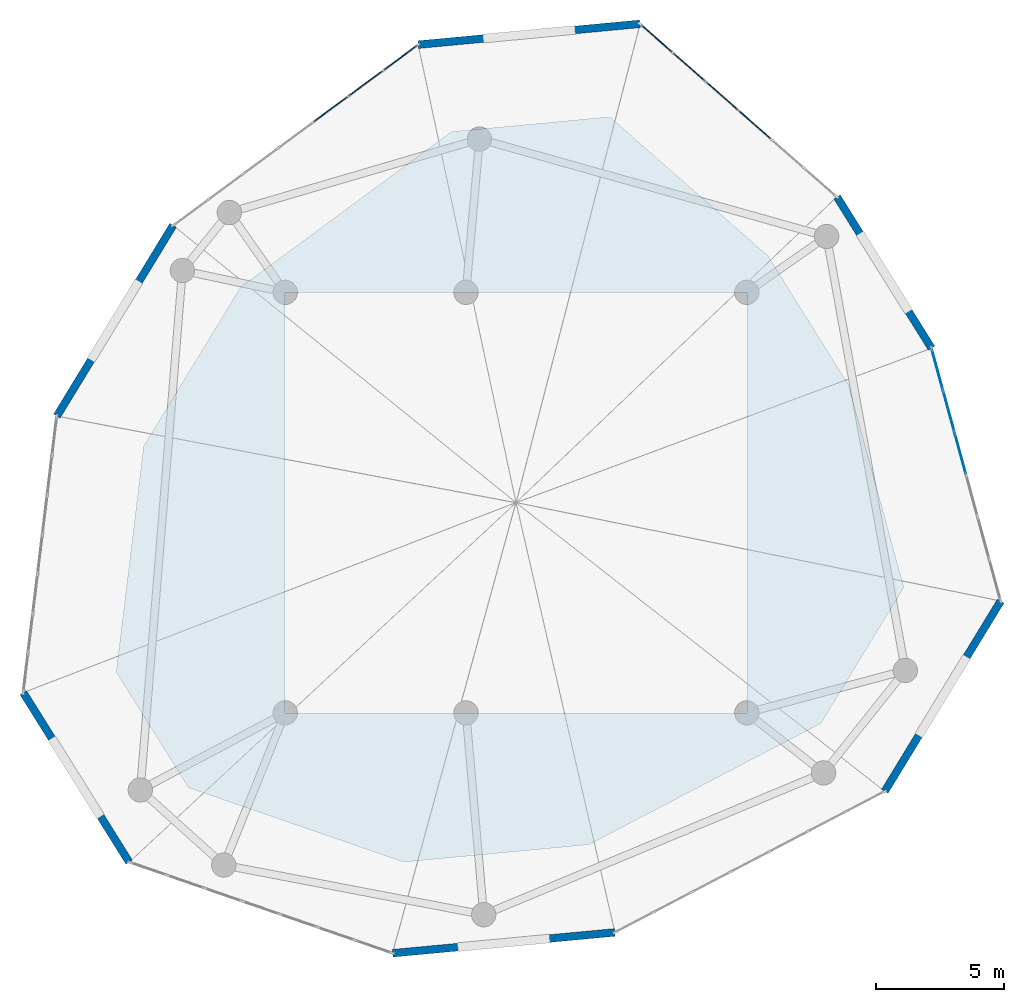
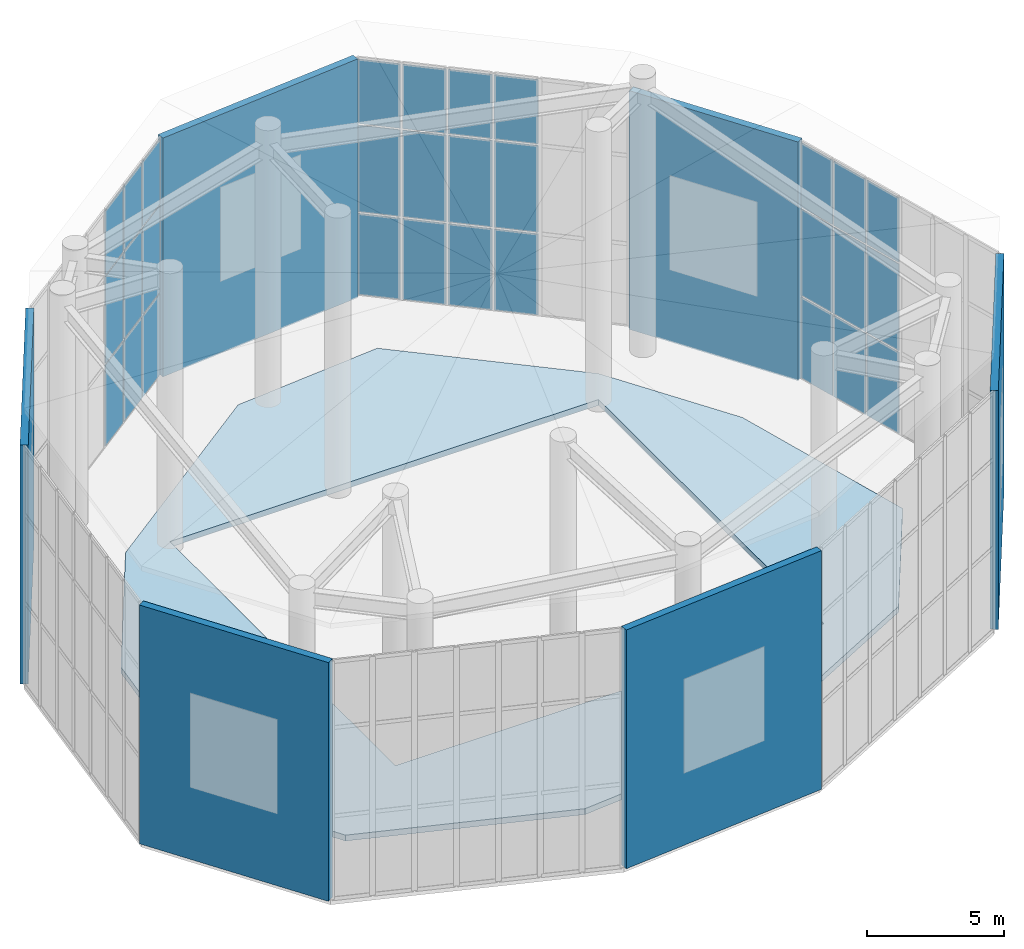
# One storey, part 7 of 8: 30 plates, 6 walls, 1 roof, 3 elements without a shape of their own.
"""IFC4 building model written with IfcOpenShell, lengths in metres."""

import ifcopenshell
import ifcopenshell.guid

model = None  # the IFC model being written
_history = None  # IfcOwnerHistory: only IFC2X3 demands one
_inside = {}  # id of a spatial element -> (the spatial element, [elements in it])
_under = {}  # id of a project, library or spatial element -> (it, [spatial elements below it])
_declared = {}  # id of a project -> (the project, [libraries it declares])
_typed = {}  # id of a type object -> (the type object, [elements of that type])
_made_of = {}  # id of a material, layer set ... -> (it, [elements and type objects made of it])


def new_model(schema):
    """Start an empty IFC model of exactly this schema.

    Asked for "IFC4X3", IfcOpenShell would pick the latest addendum, in which some entities
    have other attributes; the version numbers below select the first issue.
    IFC2X3 requires an IfcOwnerHistory on every rooted entity: one is made here for all.
    """
    global model, _history
    if schema == "IFC4X3":
        model = ifcopenshell.file(schema_version=(4, 3, 0, 0))
    else:
        model = ifcopenshell.file(schema=schema)
    _inside.clear()
    _under.clear()
    _declared.clear()
    _typed.clear()
    _made_of.clear()
    _history = None
    if model.schema == "IFC2X3":
        org = make("IfcOrganization", Name="unknown")
        user = make(
            "IfcPersonAndOrganization",
            ThePerson=make("IfcPerson", FamilyName="unknown"),
            TheOrganization=org,
        )
        app = make(
            "IfcApplication",
            ApplicationDeveloper=org,
            Version="unknown",
            ApplicationFullName="unknown",
            ApplicationIdentifier="unknown",
        )
        _history = make(
            "IfcOwnerHistory",
            OwningUser=user,
            OwningApplication=app,
            ChangeAction="ADDED",
            CreationDate=0,
        )
    return model


def make(cls, **values):
    """One entity of the class cls with the attributes given. An attribute that is None is left unset."""
    return model.create_entity(
        cls, **{name: value for name, value in values.items() if value is not None}
    )


def rooted(cls, **values):
    """An entity with a GlobalId (a new one), such as an element, a storey or a relation."""
    return make(cls, GlobalId=ifcopenshell.guid.new(), OwnerHistory=_history, **values)


def si_unit(unit_type, name, prefix=None):
    """IfcSIUnit, for example si_unit("LENGTHUNIT", "METRE", prefix="MILLI")."""
    return make("IfcSIUnit", UnitType=unit_type, Prefix=prefix, Name=name)


def assignment(units):
    """IfcUnitAssignment: the units of a project."""
    return None if units is None else make("IfcUnitAssignment", Units=units)


def point(xyz):
    """IfcCartesianPoint."""
    return None if xyz is None else make("IfcCartesianPoint", Coordinates=xyz)


def direction(xyz):
    """IfcDirection."""
    return None if xyz is None else make("IfcDirection", DirectionRatios=xyz)


def frame(location, z_axis=None, x_axis=None):
    """IfcAxis2Placement3D, a coordinate frame: its origin and axes. An axis left out is left unset."""
    return make(
        "IfcAxis2Placement3D",
        Location=point(location),
        Axis=direction(z_axis),
        RefDirection=direction(x_axis),
    )


def frame_2d(location, x_axis=None):
    """IfcAxis2Placement2D, a coordinate frame in the plane: its origin and x axis."""
    return make(
        "IfcAxis2Placement2D", Location=point(location), RefDirection=direction(x_axis)
    )


def origin():
    """The frame at (0, 0, 0) with its axes left unset."""
    return frame((0.0, 0.0, 0.0))


def origin_with_axes():
    """The frame at (0, 0, 0) with the z axis (0, 0, 1) and the x axis (1, 0, 0) written out."""
    return frame((0.0, 0.0, 0.0), z_axis=(0.0, 0.0, 1.0), x_axis=(1.0, 0.0, 0.0))


def origin_2d():
    """The frame at (0, 0) in the plane with its x axis left unset."""
    return frame_2d((0.0, 0.0))


def place(relative_to, where):
    """IfcLocalPlacement: puts the frame where relative to a parent placement (None: the world)."""
    return make(
        "IfcLocalPlacement", PlacementRelTo=relative_to, RelativePlacement=where
    )


def context(
    kind, dimensions, precision=None, world=None, true_north=None, identifier=None
):
    """IfcGeometricRepresentationContext, for example the 3D "Model" context."""
    return make(
        "IfcGeometricRepresentationContext",
        ContextIdentifier=identifier,
        ContextType=kind,
        CoordinateSpaceDimension=dimensions,
        Precision=precision,
        WorldCoordinateSystem=world,
        TrueNorth=true_north,
    )


def subcontext(parent, identifier, kind, view, scale=None):
    """IfcGeometricRepresentationSubContext, for example "Body" below "Model"."""
    return make(
        "IfcGeometricRepresentationSubContext",
        ContextIdentifier=identifier,
        ContextType=kind,
        ParentContext=parent,
        TargetScale=scale,
        TargetView=view,
    )


def project(units=None, contexts=None):
    """IfcProject with its units and contexts."""
    return rooted(
        "IfcProject",
        Name="project",
        RepresentationContexts=contexts,
        UnitsInContext=assignment(units),
    )


def spatial(cls, under=None, at=None, **own):
    """A site, building, storey or space (cls), placed at a placement, below another one or the project."""
    s = rooted(cls, ObjectPlacement=at, **own)
    if under is not None:
        _under.setdefault(under.id(), (under, []))[1].append(s)
    return s


def polyline(points):
    """IfcPolyline through the points."""
    return make("IfcPolyline", Points=[point(p) for p in points])


def profile(cls, at=None, kind="AREA", **sizes):
    """A parametric profile (cls). Its sizes go by their IFC names, for example OverallWidth=200.0."""
    return make(cls, ProfileType=kind, Position=at, **sizes)


def rectangle(**sizes):
    """IfcRectangleProfileDef."""
    return profile("IfcRectangleProfileDef", **sizes)


def outline(outer, holes=None, kind="AREA"):
    """IfcArbitraryClosedProfileDef: a profile drawn as a closed curve; with holes, ...WithVoids."""
    if holes is None:
        return make("IfcArbitraryClosedProfileDef", ProfileType=kind, OuterCurve=outer)
    return make(
        "IfcArbitraryProfileDefWithVoids",
        ProfileType=kind,
        OuterCurve=outer,
        InnerCurves=holes,
    )


def extrude(swept, where, along, depth):
    """IfcExtrudedAreaSolid: the profile swept, set in the frame where, extruded along a direction by depth."""
    return make(
        "IfcExtrudedAreaSolid",
        SweptArea=swept,
        Position=where,
        ExtrudedDirection=direction(along),
        Depth=depth,
    )


def shape(context_of_items, identifier, shape_type, items):
    """IfcShapeRepresentation: the items that make up one representation, for example the "Body"."""
    return make(
        "IfcShapeRepresentation",
        ContextOfItems=context_of_items,
        RepresentationIdentifier=identifier,
        RepresentationType=shape_type,
        Items=items,
    )


def source(mapping_origin, context_of_items, identifier, shape_type, items):
    """IfcRepresentationMap: a shape defined once, which mapped items show again and again."""
    return make(
        "IfcRepresentationMap",
        MappingOrigin=mapping_origin,
        MappedRepresentation=shape(context_of_items, identifier, shape_type, items),
    )


def transform(
    local_origin,
    x_axis=None,
    y_axis=None,
    z_axis=None,
    scale=None,
    scale2=None,
    scale3=None,
    uniform=True,
):
    """IfcCartesianTransformationOperator3D, or its non-uniform kind. x_axis, y_axis, z_axis: its Axis1, 2, 3."""
    if uniform:
        return make(
            "IfcCartesianTransformationOperator3D",
            Axis1=direction(x_axis),
            Axis2=direction(y_axis),
            LocalOrigin=point(local_origin),
            Scale=scale,
            Axis3=direction(z_axis),
        )
    return make(
        "IfcCartesianTransformationOperator3DnonUniform",
        Axis1=direction(x_axis),
        Axis2=direction(y_axis),
        LocalOrigin=point(local_origin),
        Scale=scale,
        Axis3=direction(z_axis),
        Scale2=scale2,
        Scale3=scale3,
    )


def mapped(mapping_source, mapping_target):
    """IfcMappedItem: shows the shape of a source again, moved by a transform."""
    return make(
        "IfcMappedItem", MappingSource=mapping_source, MappingTarget=mapping_target
    )


def material(Name=None, Category=None):
    """IfcMaterial."""
    return make("IfcMaterial", Name=Name, Category=Category)


def layer(
    of_material, thickness, ventilated=None, Name=None, Category=None, Priority=None
):
    """IfcMaterialLayer: one layer of a wall or slab, of a material (None: an air gap)."""
    return make(
        "IfcMaterialLayer",
        Material=of_material,
        LayerThickness=thickness,
        IsVentilated=ventilated,
        Name=Name,
        Category=Category,
        Priority=Priority,
    )


def layer_set(layers, Name=None):
    """IfcMaterialLayerSet."""
    return make("IfcMaterialLayerSet", MaterialLayers=layers, LayerSetName=Name)


def made_of(thing, what):
    """Note that an element or type object is made of a material, layer set ...; save() writes the relation."""
    if what is not None:
        _made_of.setdefault(what.id(), (what, []))[1].append(thing)
    return thing


def type_object(cls, material=None, **own):
    """A type object (cls), such as IfcWallType, which elements share."""
    return made_of(rooted(cls, **own), material)


def element(
    cls,
    number,
    at=None,
    inside=None,
    cuts=None,
    type_object=None,
    material=None,
    context=None,
    identifier="Body",
    shape_type=None,
    held_by="IfcProductDefinitionShape",
    body=None,
    shapes=None,
    **own,
):
    """One element of the class cls, such as IfcWall. Its Tag is "e" and its number.

    at: its placement. inside: the storey or other place that contains it. cuts: it is an
    opening in that element (IfcRelVoidsElement). A single representation is given by context,
    identifier, shape_type and body (its items); several are given by shapes. held_by: the class
    of the entity that holds the representations. save() writes the other relations.
    """
    e = rooted(cls, Tag="e%d" % number, ObjectPlacement=at, **own)
    if body is not None:
        shapes = [shape(context, identifier, shape_type, body)]
    if shapes is not None:
        e.Representation = make(held_by, Representations=shapes)
    if inside is not None:
        _inside.setdefault(inside.id(), (inside, []))[1].append(e)
    if cuts is not None:
        rooted(
            "IfcRelVoidsElement", RelatingBuildingElement=cuts, RelatedOpeningElement=e
        )
    if type_object is not None:
        _typed.setdefault(type_object.id(), (type_object, []))[1].append(e)
    return made_of(e, material)


def aggregate(whole, parts):
    """IfcRelAggregates: a whole, such as a stair, and the parts it consists of."""
    return rooted("IfcRelAggregates", RelatingObject=whole, RelatedObjects=parts)


def save(model, path):
    """Write the relations noted so far, then the file.

    IfcRelAggregates (storeys below a building ...), IfcRelContainedInSpatialStructure (elements
    in a storey), IfcRelDefinesByType, IfcRelAssociatesMaterial and IfcRelDeclares: one each for
    every whole, place, type object, material and project.
    """
    for whole, parts in _under.values():
        aggregate(whole, parts)
    for where, things in _inside.values():
        rooted(
            "IfcRelContainedInSpatialStructure",
            RelatedElements=things,
            RelatingStructure=where,
        )
    for kind, things in _typed.values():
        rooted("IfcRelDefinesByType", RelatedObjects=things, RelatingType=kind)
    for what, things in _made_of.values():
        rooted("IfcRelAssociatesMaterial", RelatedObjects=things, RelatingMaterial=what)
    for by, libraries in _declared.values():
        rooted("IfcRelDeclares", RelatingContext=by, RelatedDefinitions=libraries)
    model.write(path)


model = new_model("IFC4")

# Units and contexts
model_context = context("Model", 3, precision=1e-05, world=origin(), true_north=direction((0.0, 1.0)))
body_context = subcontext(model_context, "Body", "Model", "MODEL_VIEW")
ifc_project = project(units=[si_unit("LENGTHUNIT", "METRE"), si_unit("AREAUNIT", "SQUARE_METRE"), si_unit("VOLUMEUNIT", "CUBIC_METRE"), si_unit("PLANEANGLEUNIT", "RADIAN"), si_unit("MASSUNIT", "GRAM", prefix="KILO")], contexts=[model_context])

# Site, building, storey
site_placement = place(None, origin())
site = spatial("IfcSite", under=ifc_project, at=site_placement, CompositionType="ELEMENT")
building_placement = place(site_placement, origin())
building = spatial("IfcBuilding", under=site, at=building_placement, Name="Karkom Vertical University and Central Library", CompositionType="ELEMENT")
storey_placement = place(building_placement, frame((0.0, 0.0, 290.0)))
storey = spatial("IfcBuildingStorey", under=building, at=storey_placement, Name="R82", CompositionType="ELEMENT", Elevation=290.0)

# Curtain wall, plates
ifc_material_1 = material(Name="Aluminium curtain-wall framing and low-E IGU", Category="aluminium")
ifc_layer_1 = layer(ifc_material_1, 0.199951171875)
ifc_layer_set_1 = layer_set([ifc_layer_1], Name="Aluminium curtain-wall framing and low-E IGU")
curtain_wall_type = type_object("IfcCurtainWallType", Name="ENV-CW-6", PredefinedType="USERDEFINED", material=ifc_layer_set_1)
curtain_wall_1_placement = place(storey_placement, origin())
curtain_wall_1 = element("IfcCurtainWall", 1, at=curtain_wall_1_placement, inside=storey, type_object=curtain_wall_type, Name="Roof Level 82 CW-6 Curtain Wall R82-CW6-10", ObjectType="UNITISED GLAZING", PredefinedType="USERDEFINED")
ifc_material_2 = material(Name="Solar-control low-E double glazing 36mm", Category="glass")
ifc_layer_2 = layer(ifc_material_2, 0.035888671875)
ifc_layer_set_2 = layer_set([ifc_layer_2], Name="Solar-control low-E double glazing 36mm")
plate_type = type_object("IfcPlateType", Name="ENV-PLT-GLZ-36", PredefinedType="CURTAIN_PANEL", material=ifc_layer_set_2)
shared_shape_1 = source(origin_with_axes(), body_context, "Body", "SweptSolid", [
    extrude(rectangle(XDim=1.584228515625, YDim=0.035888671875, at=origin_2d()), origin(), (0.0, 0.0, 1.0), 3.597412109375),
])
plate_1_placement = place(storey_placement, frame((23.987060546875, 43.845703125, 0.0751953125), z_axis=(0.0, 0.0, 1.0), x_axis=(-0.804886710609, -0.593428498713, 0.0)))
plate_1 = element("IfcPlate", 2, at=plate_1_placement, type_object=plate_type, Name="CW-6 panel 1.1", PredefinedType="CURTAIN_PANEL", context=body_context, shape_type="MappedRepresentation", body=[
    mapped(shared_shape_1, transform((0.0, 0.0, 0.0), scale=1.0)),
])
shared_shape_2 = source(origin_with_axes(), body_context, "Body", "SweptSolid", [
    extrude(rectangle(XDim=1.584228515625, YDim=0.035888671875, at=origin_2d()), origin(), (0.0, 0.0, 1.0), 3.846923828125),
])
plate_2_placement = place(storey_placement, frame((23.987060546875, 43.845703125, 3.74755859375), z_axis=(0.0, 0.0, 1.0), x_axis=(-0.804886710609, -0.593428498713, 0.0)))
plate_2 = element("IfcPlate", 3, at=plate_2_placement, type_object=plate_type, Name="CW-6 panel 1.2", PredefinedType="CURTAIN_PANEL", context=body_context, shape_type="MappedRepresentation", body=[
    mapped(shared_shape_2, transform((0.0, 0.0, 0.0), scale=1.0)),
])
shared_shape_3 = source(origin_with_axes(), body_context, "Body", "SweptSolid", [
    extrude(rectangle(XDim=1.584228515625, YDim=0.035888671875, at=origin_2d()), origin(), (0.0, 0.0, 1.0), 2.85546875),
])
plate_3_placement = place(storey_placement, frame((23.987060546875, 43.845703125, 7.66943359375), z_axis=(0.0, 0.0, 1.0), x_axis=(-0.804886710609, -0.593428498713, 0.0)))
plate_3 = element("IfcPlate", 4, at=plate_3_placement, type_object=plate_type, Name="CW-6 panel 1.3", PredefinedType="CURTAIN_PANEL", context=body_context, shape_type="MappedRepresentation", body=[
    mapped(shared_shape_3, transform((0.0, 0.0, 0.0), scale=1.0)),
])
shared_shape_4 = source(origin_with_axes(), body_context, "Body", "SweptSolid", [
    extrude(rectangle(XDim=1.62158203125, YDim=0.035888671875, at=origin_2d()), origin(), (0.0, 0.0, 1.0), 3.597412109375),
])
plate_4_placement = place(storey_placement, frame((22.636474609375, 42.849853515625, 0.0751953125), z_axis=(0.0, 0.0, 1.0), x_axis=(-0.804886710609, -0.593428498713, 0.0)))
plate_4 = element("IfcPlate", 5, at=plate_4_placement, type_object=plate_type, Name="CW-6 panel 2.1", PredefinedType="CURTAIN_PANEL", context=body_context, shape_type="MappedRepresentation", body=[
    mapped(shared_shape_4, transform((0.0, 0.0, 0.0), scale=1.0)),
])
plate_5_placement = place(storey_placement, frame((21.270751953125, 41.843017578125, 0.0751953125), z_axis=(0.0, 0.0, 1.0), x_axis=(-0.804886710609, -0.593428498713, 0.0)))
plate_5 = element("IfcPlate", 6, at=plate_5_placement, type_object=plate_type, Name="CW-6 panel 3.1", PredefinedType="CURTAIN_PANEL", context=body_context, shape_type="MappedRepresentation", body=[
    mapped(shared_shape_4, transform((0.0, 0.0, 0.0), scale=1.0)),
])
shared_shape_5 = source(origin_with_axes(), body_context, "Body", "SweptSolid", [
    extrude(rectangle(XDim=1.62158203125, YDim=0.035888671875, at=origin_2d()), origin(), (0.0, 0.0, 1.0), 3.846923828125),
])
plate_6_placement = place(storey_placement, frame((22.636474609375, 42.849853515625, 3.74755859375), z_axis=(0.0, 0.0, 1.0), x_axis=(-0.804886710609, -0.593428498713, 0.0)))
plate_6 = element("IfcPlate", 7, at=plate_6_placement, type_object=plate_type, Name="CW-6 panel 2.2", PredefinedType="CURTAIN_PANEL", context=body_context, shape_type="MappedRepresentation", body=[
    mapped(shared_shape_5, transform((0.0, 0.0, 0.0), scale=1.0)),
])
plate_7_placement = place(storey_placement, frame((21.270751953125, 41.843017578125, 3.74755859375), z_axis=(0.0, 0.0, 1.0), x_axis=(-0.804886710609, -0.593428498713, 0.0)))
plate_7 = element("IfcPlate", 8, at=plate_7_placement, type_object=plate_type, Name="CW-6 panel 3.2", PredefinedType="CURTAIN_PANEL", context=body_context, shape_type="MappedRepresentation", body=[
    mapped(shared_shape_5, transform((0.0, 0.0, 0.0), scale=1.0)),
])
shared_shape_6 = source(origin_with_axes(), body_context, "Body", "SweptSolid", [
    extrude(rectangle(XDim=1.62158203125, YDim=0.035888671875, at=origin_2d()), origin(), (0.0, 0.0, 1.0), 2.85546875),
])
plate_8_placement = place(storey_placement, frame((22.636474609375, 42.849853515625, 7.66943359375), z_axis=(0.0, 0.0, 1.0), x_axis=(-0.804886710609, -0.593428498713, 0.0)))
plate_8 = element("IfcPlate", 9, at=plate_8_placement, type_object=plate_type, Name="CW-6 panel 2.3", PredefinedType="CURTAIN_PANEL", context=body_context, shape_type="MappedRepresentation", body=[
    mapped(shared_shape_6, transform((0.0, 0.0, 0.0), scale=1.0)),
])
plate_9_placement = place(storey_placement, frame((21.270751953125, 41.843017578125, 7.66943359375), z_axis=(0.0, 0.0, 1.0), x_axis=(-0.804886710609, -0.593428498713, 0.0)))
plate_9 = element("IfcPlate", 10, at=plate_9_placement, type_object=plate_type, Name="CW-6 panel 3.3", PredefinedType="CURTAIN_PANEL", context=body_context, shape_type="MappedRepresentation", body=[
    mapped(shared_shape_6, transform((0.0, 0.0, 0.0), scale=1.0)),
])
aggregate(curtain_wall_1, [plate_1, plate_2, plate_3, plate_4, plate_6, plate_8, plate_5, plate_7, plate_9])

# Curtain wall, plate
curtain_wall_2_placement = place(storey_placement, origin())
curtain_wall_2 = element("IfcCurtainWall", 11, at=curtain_wall_2_placement, inside=storey, type_object=curtain_wall_type, Name="Roof Level 82 CW-6 Curtain Wall R82-CW6-06", ObjectType="UNITISED GLAZING", PredefinedType="USERDEFINED")
shared_shape_7 = source(origin_with_axes(), body_context, "Body", "SweptSolid", [
    extrude(rectangle(XDim=1.591552734375, YDim=0.035888671875, at=origin_2d()), origin(), (0.0, 0.0, 1.0), 3.597412109375),
])
plate_10_placement = place(storey_placement, frame((44.93359375, 31.68359375, 0.0751953125), z_axis=(0.0, 0.0, 1.0), x_axis=(-0.263790970238, 0.964579869177, 0.0)))
plate_10 = element("IfcPlate", 12, at=plate_10_placement, type_object=plate_type, Name="CW-6 panel 6.1", PredefinedType="CURTAIN_PANEL", context=body_context, shape_type="MappedRepresentation", body=[
    mapped(shared_shape_7, transform((0.0, 0.0, 0.0), scale=1.0)),
])

curtain_wall_3_placement = place(storey_placement, origin())
curtain_wall_3 = element("IfcCurtainWall", 13, at=curtain_wall_3_placement, inside=storey, type_object=curtain_wall_type, Name="Roof Level 82 CW-6 Curtain Wall R82-CW6-08", ObjectType="UNITISED GLAZING", PredefinedType="USERDEFINED")
plate_11_placement = place(storey_placement, frame((33.989501953125, 44.596435546875, 0.0751953125), z_axis=(0.0, 0.0, 1.0), x_axis=(-0.75132182602, 0.659935992158, 0.0)))
plate_11 = element("IfcPlate", 14, at=plate_11_placement, type_object=plate_type, Name="CW-6 panel 6.1", PredefinedType="CURTAIN_PANEL", context=body_context, shape_type="MappedRepresentation", body=[
    mapped(shared_shape_7, transform((0.0, 0.0, 0.0), scale=1.0)),
])

# Plate
shared_shape_8 = source(origin_with_axes(), body_context, "Body", "SweptSolid", [
    extrude(rectangle(XDim=1.591552734375, YDim=0.035888671875, at=origin_2d()), origin(), (0.0, 0.0, 1.0), 3.846923828125),
])
plate_12_placement = place(storey_placement, frame((44.93359375, 31.68359375, 3.74755859375), z_axis=(0.0, 0.0, 1.0), x_axis=(-0.263790970238, 0.964579869177, 0.0)))
plate_12 = element("IfcPlate", 15, at=plate_12_placement, type_object=plate_type, Name="CW-6 panel 6.2", PredefinedType="CURTAIN_PANEL", context=body_context, shape_type="MappedRepresentation", body=[
    mapped(shared_shape_8, transform((0.0, 0.0, 0.0), scale=1.0)),
])

plate_13_placement = place(storey_placement, frame((33.989501953125, 44.596435546875, 3.74755859375), z_axis=(0.0, 0.0, 1.0), x_axis=(-0.75132182602, 0.659935992158, 0.0)))
plate_13 = element("IfcPlate", 16, at=plate_13_placement, type_object=plate_type, Name="CW-6 panel 6.2", PredefinedType="CURTAIN_PANEL", context=body_context, shape_type="MappedRepresentation", body=[
    mapped(shared_shape_8, transform((0.0, 0.0, 0.0), scale=1.0)),
])

shared_shape_9 = source(origin_with_axes(), body_context, "Body", "SweptSolid", [
    extrude(rectangle(XDim=1.591552734375, YDim=0.035888671875, at=origin_2d()), origin(), (0.0, 0.0, 1.0), 2.85546875),
])
plate_14_placement = place(storey_placement, frame((44.93359375, 31.68359375, 7.66943359375), z_axis=(0.0, 0.0, 1.0), x_axis=(-0.263790970238, 0.964579869177, 0.0)))
plate_14 = element("IfcPlate", 17, at=plate_14_placement, type_object=plate_type, Name="CW-6 panel 6.3", PredefinedType="CURTAIN_PANEL", context=body_context, shape_type="MappedRepresentation", body=[
    mapped(shared_shape_9, transform((0.0, 0.0, 0.0), scale=1.0)),
])

plate_15_placement = place(storey_placement, frame((33.989501953125, 44.596435546875, 7.66943359375), z_axis=(0.0, 0.0, 1.0), x_axis=(-0.75132182602, 0.659935992158, 0.0)))
plate_15 = element("IfcPlate", 18, at=plate_15_placement, type_object=plate_type, Name="CW-6 panel 6.3", PredefinedType="CURTAIN_PANEL", context=body_context, shape_type="MappedRepresentation", body=[
    mapped(shared_shape_9, transform((0.0, 0.0, 0.0), scale=1.0)),
])

shared_shape_10 = source(origin_with_axes(), body_context, "Body", "SweptSolid", [
    extrude(rectangle(XDim=1.629150390625, YDim=0.035888671875, at=origin_2d()), origin(), (0.0, 0.0, 1.0), 3.597412109375),
])
plate_16_placement = place(storey_placement, frame((45.827880859375, 28.4140625, 0.0751953125), z_axis=(0.0, 0.0, 1.0), x_axis=(-0.263790970238, 0.964579869177, 0.0)))
plate_16 = element("IfcPlate", 19, at=plate_16_placement, type_object=plate_type, Name="CW-6 panel 4.1", PredefinedType="CURTAIN_PANEL", context=body_context, shape_type="MappedRepresentation", body=[
    mapped(shared_shape_10, transform((0.0, 0.0, 0.0), scale=1.0)),
])

plate_17_placement = place(storey_placement, frame((45.37841796875, 30.057861328125, 0.0751953125), z_axis=(0.0, 0.0, 1.0), x_axis=(-0.263790970238, 0.964579869177, 0.0)))
plate_17 = element("IfcPlate", 20, at=plate_17_placement, type_object=plate_type, Name="CW-6 panel 5.1", PredefinedType="CURTAIN_PANEL", context=body_context, shape_type="MappedRepresentation", body=[
    mapped(shared_shape_10, transform((0.0, 0.0, 0.0), scale=1.0)),
])

plate_18_placement = place(storey_placement, frame((37.81640625, 41.235107421875, 0.0751953125), z_axis=(0.0, 0.0, 1.0), x_axis=(-0.75132182602, 0.659935992158, 0.0)))
plate_18 = element("IfcPlate", 21, at=plate_18_placement, type_object=plate_type, Name="CW-6 panel 3.1", PredefinedType="CURTAIN_PANEL", context=body_context, shape_type="MappedRepresentation", body=[
    mapped(shared_shape_10, transform((0.0, 0.0, 0.0), scale=1.0)),
])

plate_19_placement = place(storey_placement, frame((36.5361328125, 42.359619140625, 0.0751953125), z_axis=(0.0, 0.0, 1.0), x_axis=(-0.75132182602, 0.659935992158, 0.0)))
plate_19 = element("IfcPlate", 22, at=plate_19_placement, type_object=plate_type, Name="CW-6 panel 4.1", PredefinedType="CURTAIN_PANEL", context=body_context, shape_type="MappedRepresentation", body=[
    mapped(shared_shape_10, transform((0.0, 0.0, 0.0), scale=1.0)),
])

plate_20_placement = place(storey_placement, frame((35.255615234375, 43.484375, 0.0751953125), z_axis=(0.0, 0.0, 1.0), x_axis=(-0.75132182602, 0.659935992158, 0.0)))
plate_20 = element("IfcPlate", 23, at=plate_20_placement, type_object=plate_type, Name="CW-6 panel 5.1", PredefinedType="CURTAIN_PANEL", context=body_context, shape_type="MappedRepresentation", body=[
    mapped(shared_shape_10, transform((0.0, 0.0, 0.0), scale=1.0)),
])

shared_shape_11 = source(origin_with_axes(), body_context, "Body", "SweptSolid", [
    extrude(rectangle(XDim=1.629150390625, YDim=0.035888671875, at=origin_2d()), origin(), (0.0, 0.0, 1.0), 3.846923828125),
])
plate_21_placement = place(storey_placement, frame((45.827880859375, 28.4140625, 3.74755859375), z_axis=(0.0, 0.0, 1.0), x_axis=(-0.263790970238, 0.964579869177, 0.0)))
plate_21 = element("IfcPlate", 24, at=plate_21_placement, type_object=plate_type, Name="CW-6 panel 4.2", PredefinedType="CURTAIN_PANEL", context=body_context, shape_type="MappedRepresentation", body=[
    mapped(shared_shape_11, transform((0.0, 0.0, 0.0), scale=1.0)),
])

plate_22_placement = place(storey_placement, frame((45.37841796875, 30.057861328125, 3.74755859375), z_axis=(0.0, 0.0, 1.0), x_axis=(-0.263790970238, 0.964579869177, 0.0)))
plate_22 = element("IfcPlate", 25, at=plate_22_placement, type_object=plate_type, Name="CW-6 panel 5.2", PredefinedType="CURTAIN_PANEL", context=body_context, shape_type="MappedRepresentation", body=[
    mapped(shared_shape_11, transform((0.0, 0.0, 0.0), scale=1.0)),
])

plate_23_placement = place(storey_placement, frame((37.81640625, 41.235107421875, 3.74755859375), z_axis=(0.0, 0.0, 1.0), x_axis=(-0.75132182602, 0.659935992158, 0.0)))
plate_23 = element("IfcPlate", 26, at=plate_23_placement, type_object=plate_type, Name="CW-6 panel 3.2", PredefinedType="CURTAIN_PANEL", context=body_context, shape_type="MappedRepresentation", body=[
    mapped(shared_shape_11, transform((0.0, 0.0, 0.0), scale=1.0)),
])

plate_24_placement = place(storey_placement, frame((36.5361328125, 42.359619140625, 3.74755859375), z_axis=(0.0, 0.0, 1.0), x_axis=(-0.75132182602, 0.659935992158, 0.0)))
plate_24 = element("IfcPlate", 27, at=plate_24_placement, type_object=plate_type, Name="CW-6 panel 4.2", PredefinedType="CURTAIN_PANEL", context=body_context, shape_type="MappedRepresentation", body=[
    mapped(shared_shape_11, transform((0.0, 0.0, 0.0), scale=1.0)),
])

plate_25_placement = place(storey_placement, frame((35.255615234375, 43.484375, 3.74755859375), z_axis=(0.0, 0.0, 1.0), x_axis=(-0.75132182602, 0.659935992158, 0.0)))
plate_25 = element("IfcPlate", 28, at=plate_25_placement, type_object=plate_type, Name="CW-6 panel 5.2", PredefinedType="CURTAIN_PANEL", context=body_context, shape_type="MappedRepresentation", body=[
    mapped(shared_shape_11, transform((0.0, 0.0, 0.0), scale=1.0)),
])

shared_shape_12 = source(origin_with_axes(), body_context, "Body", "SweptSolid", [
    extrude(rectangle(XDim=1.629150390625, YDim=0.035888671875, at=origin_2d()), origin(), (0.0, 0.0, 1.0), 2.85546875),
])
plate_26_placement = place(storey_placement, frame((45.827880859375, 28.4140625, 7.66943359375), z_axis=(0.0, 0.0, 1.0), x_axis=(-0.263790970238, 0.964579869177, 0.0)))
plate_26 = element("IfcPlate", 29, at=plate_26_placement, type_object=plate_type, Name="CW-6 panel 4.3", PredefinedType="CURTAIN_PANEL", context=body_context, shape_type="MappedRepresentation", body=[
    mapped(shared_shape_12, transform((0.0, 0.0, 0.0), scale=1.0)),
])

plate_27_placement = place(storey_placement, frame((45.37841796875, 30.057861328125, 7.66943359375), z_axis=(0.0, 0.0, 1.0), x_axis=(-0.263790970238, 0.964579869177, 0.0)))
plate_27 = element("IfcPlate", 30, at=plate_27_placement, type_object=plate_type, Name="CW-6 panel 5.3", PredefinedType="CURTAIN_PANEL", context=body_context, shape_type="MappedRepresentation", body=[
    mapped(shared_shape_12, transform((0.0, 0.0, 0.0), scale=1.0)),
])

aggregate(curtain_wall_2, [plate_16, plate_21, plate_26, plate_17, plate_22, plate_27, plate_10, plate_12, plate_14])

plate_28_placement = place(storey_placement, frame((37.81640625, 41.235107421875, 7.66943359375), z_axis=(0.0, 0.0, 1.0), x_axis=(-0.75132182602, 0.659935992158, 0.0)))
plate_28 = element("IfcPlate", 31, at=plate_28_placement, type_object=plate_type, Name="CW-6 panel 3.3", PredefinedType="CURTAIN_PANEL", context=body_context, shape_type="MappedRepresentation", body=[
    mapped(shared_shape_12, transform((0.0, 0.0, 0.0), scale=1.0)),
])

plate_29_placement = place(storey_placement, frame((36.5361328125, 42.359619140625, 7.66943359375), z_axis=(0.0, 0.0, 1.0), x_axis=(-0.75132182602, 0.659935992158, 0.0)))
plate_29 = element("IfcPlate", 32, at=plate_29_placement, type_object=plate_type, Name="CW-6 panel 4.3", PredefinedType="CURTAIN_PANEL", context=body_context, shape_type="MappedRepresentation", body=[
    mapped(shared_shape_12, transform((0.0, 0.0, 0.0), scale=1.0)),
])

plate_30_placement = place(storey_placement, frame((35.255615234375, 43.484375, 7.66943359375), z_axis=(0.0, 0.0, 1.0), x_axis=(-0.75132182602, 0.659935992158, 0.0)))
plate_30 = element("IfcPlate", 33, at=plate_30_placement, type_object=plate_type, Name="CW-6 panel 5.3", PredefinedType="CURTAIN_PANEL", context=body_context, shape_type="MappedRepresentation", body=[
    mapped(shared_shape_12, transform((0.0, 0.0, 0.0), scale=1.0)),
])

aggregate(curtain_wall_3, [plate_18, plate_23, plate_28, plate_19, plate_24, plate_29, plate_20, plate_25, plate_30, plate_11, plate_13, plate_15])

# Walls
ifc_material_3 = material(Name="Brick-faced precast concrete C45/55", Category="masonry")
ifc_layer_3 = layer(ifc_material_3, 0.300048828125)
ifc_layer_set_3 = layer_set([ifc_layer_3], Name="Brick-faced precast concrete C45/55")
wall_type = type_object("IfcWallType", Name="ENV-WL-CRN-300", PredefinedType="SOLIDWALL", material=ifc_layer_set_3)
wall_1_placement = place(storey_placement, frame((9.28466796875, 19.087158203125, 0.0), z_axis=(0.0, 0.0, 1.0), x_axis=(0.529911631117, -0.848052865809, 0.0)))
element("IfcWall", 34, at=wall_1_placement, inside=storey, type_object=wall_type, Name="Roof Level 82 Halo Ring Crown Enclosure Wall 01", PredefinedType="SOLIDWALL", context=body_context, shape_type="SweptSolid", body=[
    extrude(rectangle(XDim=7.792236328125, YDim=0.300048828125, at=frame_2d((3.89599609375, 0.0))), origin(), (0.0, 0.0, 1.0), 10.60009765625),
])
wall_2_placement = place(storey_placement, frame((23.686279296875, 8.926513671875, 0.0), z_axis=(0.0, 0.0, 1.0), x_axis=(0.99563104956, 0.093374585153, 0.0)))
element("IfcWall", 35, at=wall_2_placement, inside=storey, type_object=wall_type, Name="Roof Level 82 Halo Ring Crown Enclosure Wall 03", PredefinedType="SOLIDWALL", context=body_context, shape_type="SweptSolid", body=[
    extrude(rectangle(XDim=8.706787109375, YDim=0.300048828125, at=frame_2d((4.353515625, 0.0))), origin(), (0.0, 0.0, 1.0), 10.60009765625),
])
wall_3_placement = place(storey_placement, frame((42.880126953125, 15.24169921875, 0.0), z_axis=(0.0, 0.0, 1.0), x_axis=(0.520364089318, 0.853944503202, 0.0)))
element("IfcWall", 36, at=wall_3_placement, inside=storey, type_object=wall_type, Name="Roof Level 82 Halo Ring Crown Enclosure Wall 05", PredefinedType="SOLIDWALL", context=body_context, shape_type="SweptSolid", body=[
    extrude(rectangle(XDim=8.688232421875, YDim=0.300048828125, at=frame_2d((4.34423828125, 0.0))), origin(), (0.0, 0.0, 1.0), 10.60009765625),
])
wall_4_placement = place(storey_placement, frame((44.7041015625, 32.5234375, 0.0), z_axis=(0.0, 0.0, 1.0), x_axis=(-0.52991377192, 0.84805152811, 0.0)))
element("IfcWall", 37, at=wall_4_placement, inside=storey, type_object=wall_type, Name="Roof Level 82 Halo Ring Crown Enclosure Wall 07", PredefinedType="SOLIDWALL", context=body_context, shape_type="SweptSolid", body=[
    extrude(rectangle(XDim=6.957275390625, YDim=0.300048828125, at=frame_2d((3.478515625, 0.0))), origin(), (0.0, 0.0, 1.0), 10.60009765625),
])
wall_5_placement = place(storey_placement, frame((33.335205078125, 45.171142578125, 0.0), z_axis=(0.0, 0.0, 1.0), x_axis=(-0.995633573183, -0.093347672446, 0.0)))
element("IfcWall", 38, at=wall_5_placement, inside=storey, type_object=wall_type, Name="Roof Level 82 Halo Ring Crown Enclosure Wall 09", PredefinedType="SOLIDWALL", context=body_context, shape_type="SweptSolid", body=[
    extrude(rectangle(XDim=8.688232421875, YDim=0.300048828125, at=frame_2d((4.34423828125, 0.0))), origin(), (0.0, 0.0, 1.0), 10.60009765625),
])
wall_6_placement = place(storey_placement, frame((15.12548828125, 37.312255859375, 0.0), z_axis=(0.0, 0.0, 1.0), x_axis=(-0.520339182014, -0.853959680349, 0.0)))
element("IfcWall", 39, at=wall_6_placement, inside=storey, type_object=wall_type, Name="Roof Level 82 Halo Ring Crown Enclosure Wall 11", PredefinedType="SOLIDWALL", context=body_context, shape_type="SweptSolid", body=[
    extrude(rectangle(XDim=8.706787109375, YDim=0.300048828125, at=frame_2d((4.353515625, 0.0))), origin(), (0.0, 0.0, 1.0), 10.60009765625),
])

# Roof
ifc_material_4 = material(Name="Precast concrete C45/55", Category="concrete")
ifc_layer_4 = layer(ifc_material_4, 0.260009765625)
ifc_layer_set_4 = layer_set([ifc_layer_4], Name="Precast concrete C45/55")
roof_type = type_object("IfcRoofType", Name="STR-ROOF-CAP", PredefinedType="PAVILION_ROOF", material=ifc_layer_set_4)
roof_placement = place(storey_placement, frame((0.0, 0.0, 0.02001953125)))
element("IfcRoof", 40, at=roof_placement, inside=storey, type_object=roof_type, Name="Roof Level 82 Halo Ring Crown Acoustic Canopy Roof", PredefinedType="PAVILION_ROOF", context=body_context, shape_type="SweptSolid", body=[
    extrude(outline(polyline([(12.908203125, 19.89306640625), (13.97802734375, 28.702880859375), (17.75634765625, 34.903564453125), (25.9794921875, 40.96630859375), (32.1591796875, 41.545654296875), (38.3212890625, 36.133056640625), (41.46337890625, 31.1044921875), (43.627197265625, 23.193359375), (40.397216796875, 17.89306640625), (31.34326171875, 13.159912109375), (24.114013671875, 12.482177734375), (15.726806640625, 15.382568359375), (12.908203125, 19.89306640625)]), holes=[polyline([(19.5, 18.300048828125), (37.5, 18.300048828125), (37.5, 34.699951171875), (19.5, 34.699951171875), (19.5, 18.300048828125)])]), origin(), (0.0, 0.0, 1.0), 0.260009765625),
])

save(model, "model.ifc")
